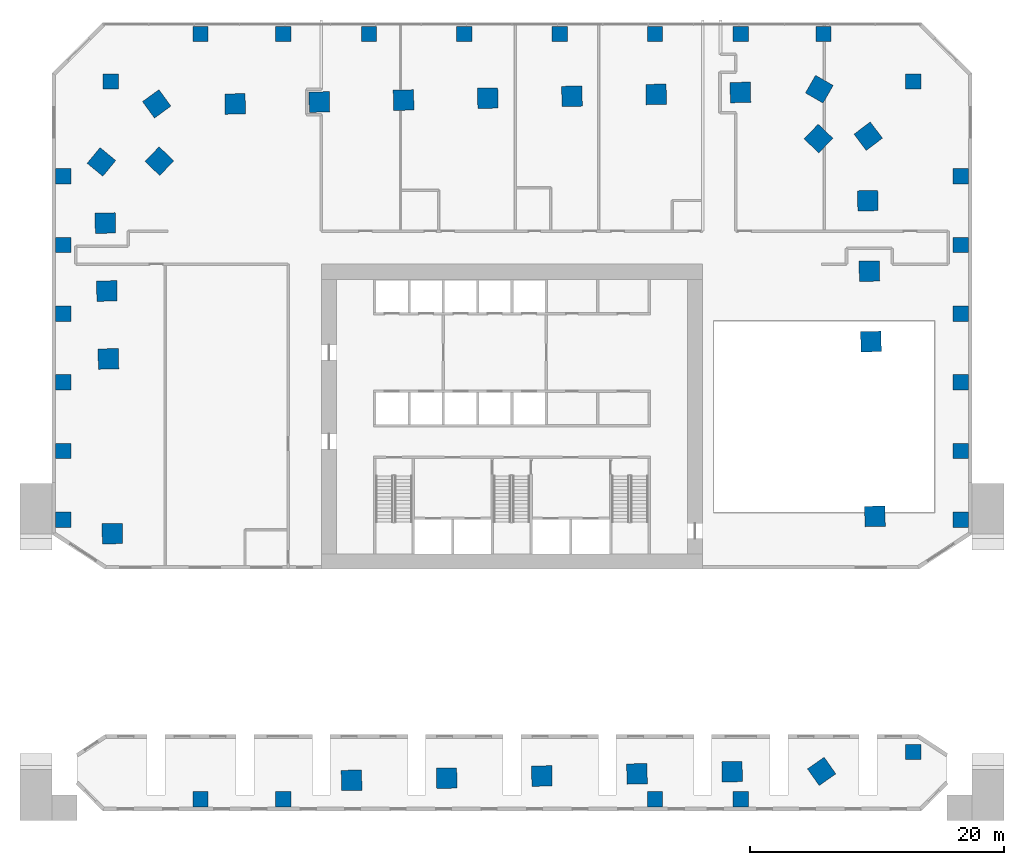
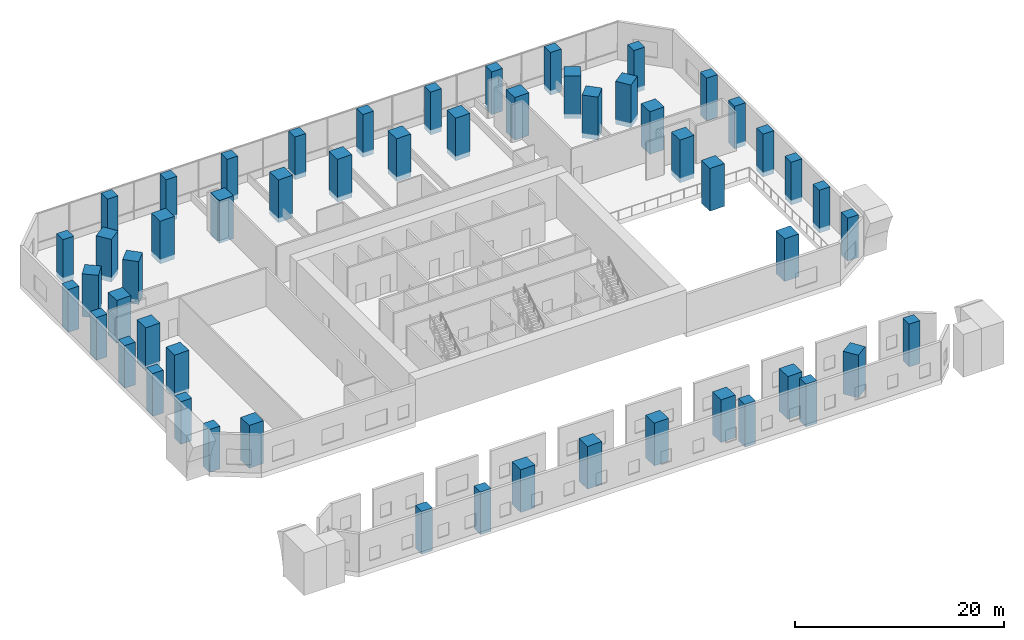
# One storey, part 1 of 12: 54 columns.
"""IFC4 building model written with IfcOpenShell, lengths in metres."""

from ifc_helpers import new_model, si_unit, direction, frame, origin, origin_2d, place, context, subcontext, project, spatial, rectangle, extrude, material, material_profile, profile_set, type_object, element, save


model = new_model("IFC4")

# Units and contexts
model_context = context("Model", 3, precision=1e-05, world=origin(), true_north=direction((0.0, 1.0)))
body_context = subcontext(model_context, "Body", "Model", "MODEL_VIEW")
ifc_project = project(units=[si_unit("LENGTHUNIT", "METRE"), si_unit("AREAUNIT", "SQUARE_METRE"), si_unit("VOLUMEUNIT", "CUBIC_METRE"), si_unit("PLANEANGLEUNIT", "RADIAN"), si_unit("MASSUNIT", "GRAM", prefix="KILO")], contexts=[model_context])

# Site, building, storey
site_placement = place(None, origin())
site = spatial("IfcSite", under=ifc_project, at=site_placement, CompositionType="ELEMENT")
building_placement = place(site_placement, origin())
building = spatial("IfcBuilding", under=site, at=building_placement, Name="Mangrove Gate Tower", CompositionType="ELEMENT")
storey_placement = place(building_placement, frame((0.0, 0.0, 11.0)))
storey = spatial("IfcBuildingStorey", under=building, at=storey_placement, Name="L02", CompositionType="ELEMENT", Elevation=11.0)

# Columns
ifc_material_1 = material(Name="Concrete C50/60", Category="concrete")
ifc_material_profile_1 = material_profile(ifc_material_1, rectangle(XDim=1.199951171875, YDim=1.199951171875, at=origin_2d()))
ifc_profile_set_1 = profile_set([ifc_material_profile_1], Name="Concrete C50/60")
column_type_1 = type_object("IfcColumnType", Name="Column RC 1200x1200 C50/60", PredefinedType="COLUMN", material=ifc_profile_set_1)
for number, where, z_axis, x_axis, name in (
    (1, (-24.5, -30.10009765625, -0.550048828125), (0.0, 0.0, 1.0), (1.0, 0.0, 0.0), "Column L02 PS00"),
    (2, (-24.5, 30.10009765625, -0.550048828125), (0.0, 0.0, 1.0), (1.0, 0.0, 0.0), "Column L02 PN01"),
    (3, (-18.0, -30.10009765625, -0.550048828125), (0.0, 0.0, 1.0), (1.0, 0.0, 0.0), "Column L02 PS02"),
    (4, (-18.0, 30.10009765625, -0.550048828125), (0.0, 0.0, 1.0), (1.0, 0.0, 0.0), "Column L02 PN03"),
    (5, (-11.25, 30.10009765625, -0.550048828125), (0.0, 0.0, 1.0), (1.0, 0.0, 0.0), "Column L02 PN05"),
    (6, (-3.75, 30.10009765625, -0.550048828125), (0.0, 0.0, 1.0), (1.0, 0.0, 0.0), "Column L02 PN07"),
    (7, (3.75, 30.10009765625, -0.550048828125), (0.0, 0.0, 1.0), (1.0, 0.0, 0.0), "Column L02 PN09"),
    (8, (11.25, -30.10009765625, -0.550048828125), (0.0, 0.0, 1.0), (1.0, 0.0, 0.0), "Column L02 PS10"),
    (9, (11.25, 30.10009765625, -0.550048828125), (0.0, 0.0, 1.0), (1.0, 0.0, 0.0), "Column L02 PN11"),
    (10, (18.0, -30.10009765625, -0.550048828125), (0.0, 0.0, 1.0), (1.0, 0.0, 0.0), "Column L02 PS12"),
    (11, (18.0, 30.10009765625, -0.550048828125), (0.0, 0.0, 1.0), (1.0, 0.0, 0.0), "Column L02 PN13"),
    (12, (24.5, 30.10009765625, -0.550048828125), (0.0, 0.0, 1.0), (1.0, 0.0, 0.0), "Column L02 PN15"),
    (13, (35.300048828125, -8.10009765625, -0.550048828125), (0.0, 0.0, 1.0), (1.0, 0.0, 0.0), "Column L02 PE20"),
    (14, (-35.300048828125, -8.10009765625, -0.550048828125), (0.0, 0.0, 1.0), (1.0, 0.0, 0.0), "Column L02 PW21"),
    (15, (35.300048828125, -2.699951171875, -0.550048828125), (0.0, 0.0, 1.0), (1.0, 0.0, 0.0), "Column L02 PE22"),
    (16, (-35.300048828125, -2.699951171875, -0.550048828125), (0.0, 0.0, 1.0), (1.0, 0.0, 0.0), "Column L02 PW23"),
    (17, (35.300048828125, 2.699951171875, -0.550048828125), (0.0, 0.0, 1.0), (1.0, 0.0, 0.0), "Column L02 PE24"),
    (18, (-35.300048828125, 2.699951171875, -0.550048828125), (0.0, 0.0, 1.0), (1.0, 0.0, 0.0), "Column L02 PW25"),
    (19, (35.300048828125, 8.10009765625, -0.550048828125), (0.0, 0.0, 1.0), (1.0, 0.0, 0.0), "Column L02 PE26"),
    (20, (-35.300048828125, 8.10009765625, -0.550048828125), (0.0, 0.0, 1.0), (1.0, 0.0, 0.0), "Column L02 PW27"),
    (21, (35.300048828125, 13.5, -0.550048828125), (0.0, 0.0, 1.0), (1.0, 0.0, 0.0), "Column L02 PE28"),
    (22, (-35.300048828125, 13.5, -0.550048828125), (0.0, 0.0, 1.0), (1.0, 0.0, 0.0), "Column L02 PW29"),
    (23, (35.300048828125, 18.89990234375, -0.550048828125), (0.0, 0.0, 1.0), (1.0, 0.0, 0.0), "Column L02 PE30"),
    (24, (-35.300048828125, 18.89990234375, -0.550048828125), (0.0, 0.0, 1.0), (1.0, 0.0, 0.0), "Column L02 PW31"),
    (25, (31.570068359375, 26.3701171875, -0.550048828125), (0.0, 0.0, 1.0), (1.0, 0.0, 0.0), "Column L02 PD32"),
    (26, (31.570068359375, -26.3701171875, -0.550048828125), (0.0, 0.0, 1.0), (1.0, 0.0, 0.0), "Column L02 PD33"),
    (27, (-31.570068359375, 26.3701171875, -0.550048828125), (0.0, 0.0, 1.0), (1.0, 0.0, 0.0), "Column L02 PD34"),
):
    element("IfcColumn", number, at=place(storey_placement, frame(where, z_axis=z_axis, x_axis=x_axis)), inside=storey, type_object=column_type_1, Name=name, PredefinedType="COLUMN", context=body_context, shape_type="SweptSolid", body=[
        extrude(rectangle(XDim=1.199951171875, YDim=1.199951171875, at=origin_2d()), origin(), (0.0, 0.0, 1.0), 5.0),
    ])
ifc_material_2 = material(Name="Concrete C70/85", Category="concrete")
ifc_material_profile_2 = material_profile(ifc_material_2, rectangle(XDim=1.60009765625, YDim=1.60009765625, at=origin_2d()))
ifc_profile_set_2 = profile_set([ifc_material_profile_2], Name="Concrete C70/85")
column_type_2 = type_object("IfcColumnType", Name="Column RC 1600x1600 C70/85", PredefinedType="COLUMN", material=ifc_profile_set_2)
for number, where, z_axis, x_axis, name in (
    (28, (-31.436279296875, -9.203857421875, -0.550048828125), (0.0, 0.0, 1.0), (0.022677684385, -0.999742828247, 0.0), "Column L02 W06"),
    (29, (-12.6201171875, -28.607177734375, -0.550048828125), (0.0, 0.0, 1.0), (0.999742076866, 0.022710784754, 0.0), "Column L02 S03"),
    (30, (-5.13623046875, -28.437255859375, -0.550048828125), (0.0, 0.0, 1.0), (0.999742111349, 0.022709266709, 0.0), "Column L02 S04"),
    (31, (2.347900390625, -28.26708984375, -0.550048828125), (0.0, 0.0, 1.0), (0.999742111349, 0.022709266709, 0.0), "Column L02 S05"),
    (32, (9.831787109375, -28.09716796875, -0.550048828125), (0.0, 0.0, 1.0), (0.999742076866, 0.022710784754, 0.0), "Column L02 S06"),
    (33, (17.31494140625, -27.92724609375, -0.550048828125), (0.0, 0.0, 1.0), (0.999743591179, 0.022644025629, 0.0), "Column L02 S07"),
    (34, (24.357666015625, -27.903076171875, -0.550048828125), (0.0, 0.0, 1.0), (0.818798537757, 0.574080965166, 0.0), "Column L02 S08"),
    (35, (28.548095703125, -7.84326171875, -0.550048828125), (0.0, 0.0, 1.0), (-0.022680668131, 0.999742760561, 0.0), "Column L02 E05"),
    (36, (28.236083984375, 5.90380859375, -0.550048828125), (0.0, 0.0, 1.0), (-0.022703735442, 0.999742236978, 0.0), "Column L02 E06"),
    (37, (28.110107421875, 11.44384765625, -0.550048828125), (0.0, 0.0, 1.0), (-0.022645578574, 0.999743556004, 0.0), "Column L02 E07"),
    (38, (27.985107421875, 16.98486328125, -0.550048828125), (0.0, 0.0, 1.0), (-0.022645578574, 0.999743556004, 0.0), "Column L02 E08"),
    (39, (28.021240234375, 22.06005859375, -0.550048828125), (0.0, 0.0, 1.0), (-0.60357593887, 0.797305516109, 0.0), "Column L02 E09"),
    (40, (24.107421875, 21.87353515625, -0.550048828125), (0.0, 0.0, 1.0), (-0.723010312757, 0.690837236726, 0.0), "Column L02 E10"),
    (41, (24.171142578125, 25.757080078125, -0.550048828125), (0.0, 0.0, 1.0), (-0.867550504106, 0.497349095531, 0.0), "Column L02 N01"),
    (42, (17.964111328125, 25.501220703125, -0.550048828125), (0.0, 0.0, 1.0), (-0.999741913532, -0.022717973655, 0.0), "Column L02 N02"),
    (43, (11.341064453125, 25.35009765625, -0.550048828125), (0.0, 0.0, 1.0), (-0.999741952388, -0.022716263674, 0.0), "Column L02 N03"),
    (44, (4.717041015625, 25.2001953125, -0.550048828125), (0.0, 0.0, 1.0), (-0.999743663498, -0.022640832496, 0.0), "Column L02 N04"),
    (45, (-1.90576171875, 25.05029296875, -0.550048828125), (0.0, 0.0, 1.0), (-0.999741913532, -0.022717973655, 0.0), "Column L02 N05"),
    (46, (-8.52880859375, 24.899169921875, -0.550048828125), (0.0, 0.0, 1.0), (-0.999741952388, -0.022716263674, 0.0), "Column L02 N06"),
    (47, (-15.15283203125, 24.749267578125, -0.550048828125), (0.0, 0.0, 1.0), (-0.999743663498, -0.022640832496, 0.0), "Column L02 N07"),
    (48, (-21.77587890625, 24.59912109375, -0.550048828125), (0.0, 0.0, 1.0), (-0.999743624771, -0.02264254248, 0.0), "Column L02 N08"),
    (49, (-27.946044921875, 24.602294921875, -0.550048828125), (0.0, 0.0, 1.0), (-0.808269368168, -0.588812897686, 0.0), "Column L02 N09"),
    (50, (-27.734619140625, 20.097412109375, -0.550048828125), (0.0, 0.0, 1.0), (-0.690863130287, -0.722985570541, 0.0), "Column L02 W01"),
    (51, (-32.2939453125, 20.036865234375, -0.550048828125), (0.0, 0.0, 1.0), (-0.63510539695, -0.772425488164, 0.0), "Column L02 W02"),
    (52, (-31.990234375, 15.22314453125, -0.550048828125), (0.0, 0.0, 1.0), (0.022746921185, -0.999741255314, 0.0), "Column L02 W03"),
    (53, (-31.869140625, 9.883056640625, -0.550048828125), (0.0, 0.0, 1.0), (0.022653360746, -0.999743379696, 0.0), "Column L02 W04"),
    (54, (-31.748291015625, 4.543212890625, -0.550048828125), (0.0, 0.0, 1.0), (0.022679760793, -0.999742781144, 0.0), "Column L02 W05"),
):
    element("IfcColumn", number, at=place(storey_placement, frame(where, z_axis=z_axis, x_axis=x_axis)), inside=storey, type_object=column_type_2, Name=name, PredefinedType="COLUMN", context=body_context, shape_type="SweptSolid", body=[
        extrude(rectangle(XDim=1.60009765625, YDim=1.60009765625, at=origin_2d()), origin(), (0.0, 0.0, 1.0), 5.0),
    ])

save(model, "model.ifc")
